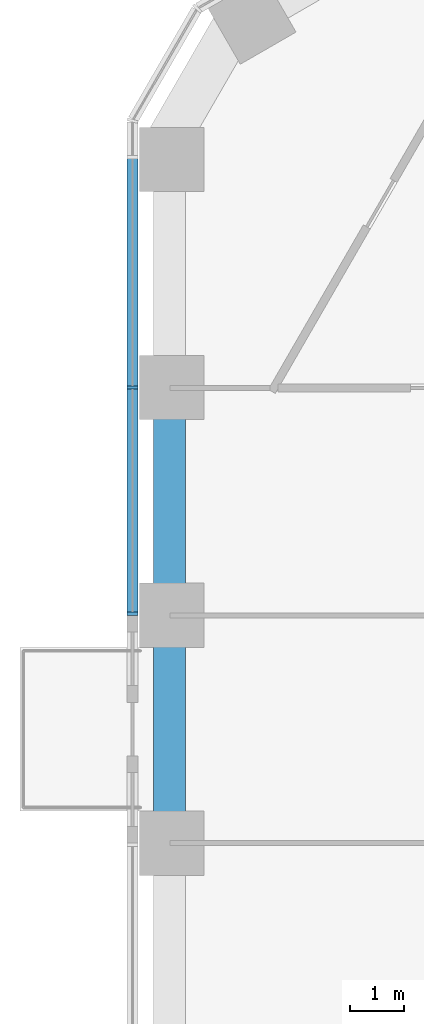
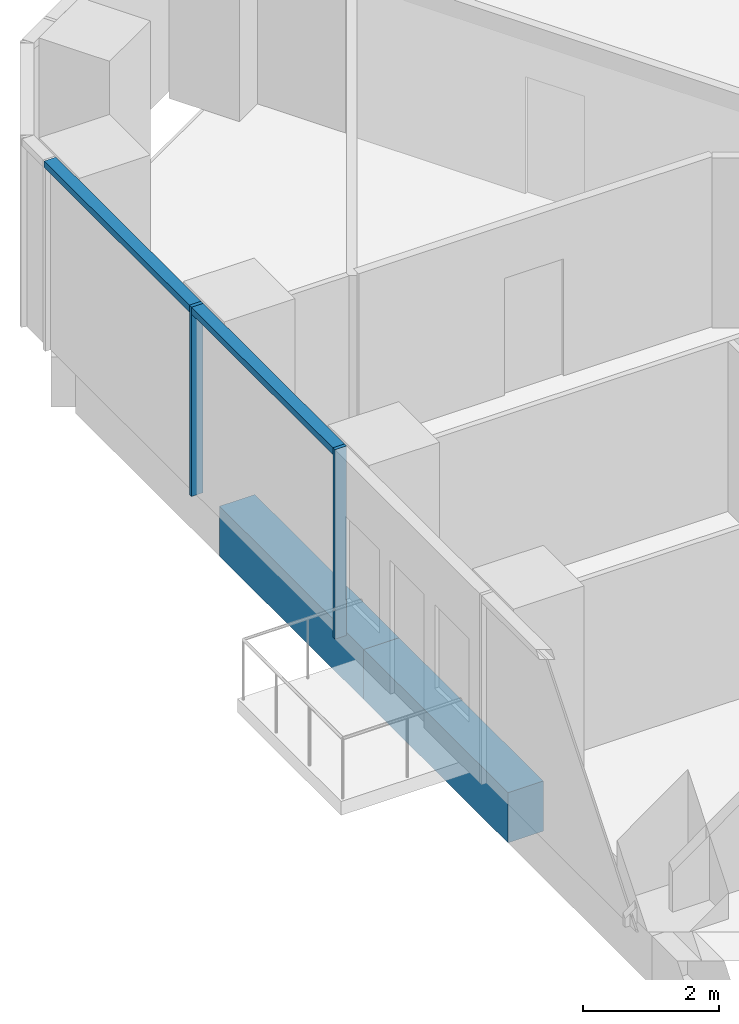
# One storey, part 4 of 20: 3 members, 2 beams, 1 element without a shape of its own.
"""IFC4 building model written with IfcOpenShell, lengths in metres."""

from ifc_helpers import new_model, si_unit, direction, frame, origin, origin_2d, place, context, subcontext, project, spatial, rectangle, extrude, material, layer, layer_set, material_profile, profile_set, type_object, element, aggregate, save


model = new_model("IFC4")

# Units and contexts
model_context = context("Model", 3, precision=1e-05, world=origin(), true_north=direction((0.0, 1.0)))
body_context = subcontext(model_context, "Body", "Model", "MODEL_VIEW")
ifc_project = project(units=[si_unit("LENGTHUNIT", "METRE"), si_unit("AREAUNIT", "SQUARE_METRE"), si_unit("VOLUMEUNIT", "CUBIC_METRE"), si_unit("PLANEANGLEUNIT", "RADIAN"), si_unit("MASSUNIT", "GRAM", prefix="KILO")], contexts=[model_context])

# Site, building, storey
site_placement = place(None, origin())
site = spatial("IfcSite", under=ifc_project, at=site_placement, CompositionType="ELEMENT")
building_placement = place(site_placement, origin())
building = spatial("IfcBuilding", under=site, at=building_placement, Name="Ayvan Gate Tower", CompositionType="ELEMENT")
storey_placement = place(building_placement, frame((0.0, 0.0, 59.5)))
storey = spatial("IfcBuildingStorey", under=building, at=storey_placement, Name="L15", CompositionType="ELEMENT", Elevation=59.5)

# Beams
ifc_material_1 = material(Name="Concrete C40/50", Category="concrete")
ifc_material_profile_1 = material_profile(ifc_material_1, rectangle(XDim=0.60009765625, YDim=0.89990234375, at=origin_2d()), Name="RC 600x900")
ifc_profile_set_1 = profile_set([ifc_material_profile_1], Name="Concrete C40/50")
beam_type = type_object("IfcBeamType", Name="Spandrel beam RC 600x900 C40/50", PredefinedType="BEAM", material=ifc_profile_set_1)
beam_1_placement = place(storey_placement, frame((-20.205078125, 6.361572265625, -0.800048828125), z_axis=(0.0, -1.0, 0.0), x_axis=(1.0, 0.0, 0.0)))
element("IfcBeam", 1, at=beam_1_placement, inside=storey, type_object=beam_type, Name="SB-L15-20", PredefinedType="BEAM", context=body_context, shape_type="SweptSolid", body=[
    extrude(rectangle(XDim=0.60009765625, YDim=0.89990234375, at=origin_2d()), origin(), (0.0, 0.0, 1.0), 4.240966796875),
])
beam_2_placement = place(storey_placement, frame((-20.205078125, 2.12060546875, -0.800048828125), z_axis=(0.0, -1.0, 0.0), x_axis=(1.0, 0.0, 0.0)))
element("IfcBeam", 2, at=beam_2_placement, inside=storey, type_object=beam_type, Name="SB-L15-21", PredefinedType="BEAM", context=body_context, shape_type="SweptSolid", body=[
    extrude(rectangle(XDim=0.60009765625, YDim=0.89990234375, at=origin_2d()), origin(), (0.0, 0.0, 1.0), 4.2412109375),
])

# Curtain wall, members
ifc_material_2 = material(Name="Bronze anodised aluminium", Category="aluminium")
ifc_layer = layer(ifc_material_2, 0.199951171875)
ifc_layer_set = layer_set([ifc_layer], Name="Bronze anodised aluminium")
curtain_wall_type = type_object("IfcCurtainWallType", Name="Stick curtain wall CW-1", PredefinedType="NOTDEFINED", material=ifc_layer_set)
curtain_wall_placement = place(storey_placement, origin())
curtain_wall = element("IfcCurtainWall", 3, at=curtain_wall_placement, inside=storey, type_object=curtain_wall_type, Name="Stick curtain wall CW-1 L15", PredefinedType="NOTDEFINED")
ifc_material_profile_2 = material_profile(ifc_material_2, rectangle(XDim=0.199951171875, YDim=0.06005859375, at=origin_2d()), Name="Stick curtain wall CW-1 mullion 200 x 60")
ifc_profile_set_2 = profile_set([ifc_material_profile_2], Name="Bronze anodised aluminium")
member_type_1 = type_object("IfcMemberType", Name="Stick curtain wall CW-1 mullion 200 x 60", PredefinedType="MULLION", material=ifc_profile_set_2)
member_1_placement = place(storey_placement, frame((-20.89111328125, 6.376708984375, 0.0), z_axis=(0.0, 0.0, 1.0), x_axis=(-1.0, 0.0, 0.0)))
member_1 = element("IfcMember", 4, at=member_1_placement, type_object=member_type_1, Name="CW-1 mullion 2", PredefinedType="MULLION", context=body_context, shape_type="SweptSolid", body=[
    extrude(rectangle(XDim=0.199951171875, YDim=0.06005859375, at=origin_2d()), origin(), (0.0, 0.0, 1.0), 3.39990234375),
])
member_2_placement = place(storey_placement, frame((-20.89111328125, 2.15576171875, 0.0), z_axis=(0.0, 0.0, 1.0), x_axis=(-1.0, 0.0, 0.0)))
member_2 = element("IfcMember", 5, at=member_2_placement, type_object=member_type_1, Name="CW-1 mullion 3", PredefinedType="MULLION", context=body_context, shape_type="SweptSolid", body=[
    extrude(rectangle(XDim=0.199951171875, YDim=0.06005859375, at=origin_2d()), origin(), (0.0, 0.0, 1.0), 3.39990234375),
])
ifc_material_profile_3 = material_profile(ifc_material_2, rectangle(XDim=0.199951171875, YDim=0.1201171875, at=origin_2d()), Name="Stick curtain wall CW-1 transom 200 x 120")
ifc_profile_set_3 = profile_set([ifc_material_profile_3], Name="Bronze anodised aluminium")
member_type_2 = type_object("IfcMemberType", Name="Stick curtain wall CW-1 transom 200 x 120", PredefinedType="USERDEFINED", material=ifc_profile_set_3)
member_3_placement = place(storey_placement, frame((-20.89111328125, 10.6728515625, 3.340087890625), z_axis=(0.0, -1.0, 0.0), x_axis=(1.0, 0.0, 0.0)))
member_3 = element("IfcMember", 6, at=member_3_placement, type_object=member_type_2, Name="CW-1 transom 1", ObjectType="TRANSOM", PredefinedType="USERDEFINED", context=body_context, shape_type="SweptSolid", body=[
    extrude(rectangle(XDim=0.199951171875, YDim=0.1201171875, at=origin_2d()), origin(), (0.0, 0.0, 1.0), 8.51708984375),
])
aggregate(curtain_wall, [member_1, member_2, member_3])

save(model, "model.ifc")
